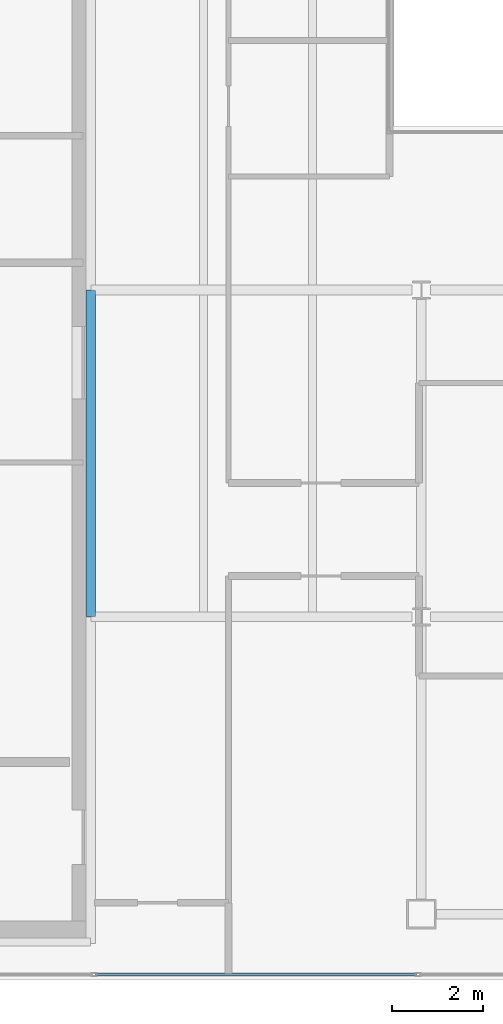
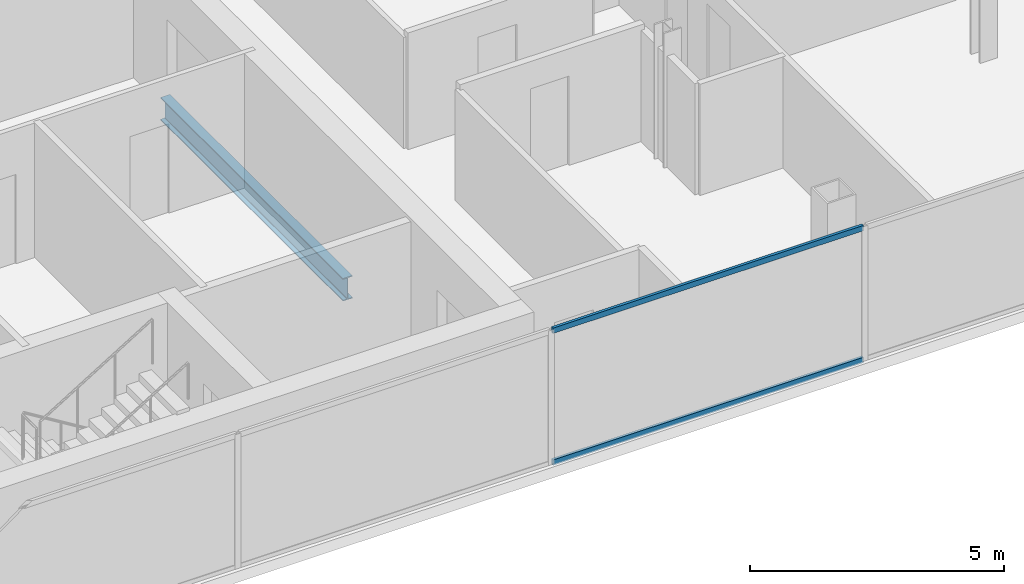
# One storey, part 4 of 23: 2 members, 1 beam, 1 element without a shape of its own.
"""IFC4 building model written with IfcOpenShell, lengths in metres."""

from ifc_helpers import new_model, si_unit, direction, frame, origin, origin_2d, place, context, subcontext, project, spatial, hollow_rectangle, i_section, extrude, material, material_profile, profile_set, type_object, element, aggregate, save


model = new_model("IFC4")

# Units and contexts
model_context = context("Model", 3, precision=1e-05, world=origin(), true_north=direction((0.0, 1.0)))
body_context = subcontext(model_context, "Body", "Model", "MODEL_VIEW")
ifc_project = project(units=[si_unit("LENGTHUNIT", "METRE"), si_unit("AREAUNIT", "SQUARE_METRE"), si_unit("VOLUMEUNIT", "CUBIC_METRE"), si_unit("PLANEANGLEUNIT", "RADIAN"), si_unit("MASSUNIT", "GRAM", prefix="KILO")], contexts=[model_context])

# Site, building, storey
site_placement = place(None, origin())
site = spatial("IfcSite", under=ifc_project, at=site_placement, CompositionType="ELEMENT")
building_placement = place(site_placement, origin())
building = spatial("IfcBuilding", under=site, at=building_placement, Name="Cobrela Telecom Tower", CompositionType="ELEMENT")
storey_placement = place(building_placement, frame((0.0, 0.0, 255.14990234375)))
storey = spatial("IfcBuildingStorey", under=building, at=storey_placement, Name="L66", CompositionType="ELEMENT", Elevation=255.14990234375)

# Beam
ifc_material_1 = material(Name="Steel ASTM A992 Grade 50", Category="steel")
ifc_material_profile_1 = material_profile(ifc_material_1, i_section(OverallWidth=0.212890625, OverallDepth=0.549072265625, WebThickness=0.0146484375, FlangeThickness=0.023681640625, FilletRadius=0.013916015625, at=origin_2d()), Name="W21X93")
ifc_profile_set_1 = profile_set([ifc_material_profile_1], Name="Steel ASTM A992 Grade 50")
beam_type = type_object("IfcBeamType", Name="BM-GIRD-08", PredefinedType="USERDEFINED", material=ifc_profile_set_1)
beam_placement = place(storey_placement, frame((14.320068359375, 14.405029296875, -0.534423828125), z_axis=(0.0, 1.0, 0.0), x_axis=(-1.0, 0.0, 0.0)))
element("IfcBeam", 1, at=beam_placement, inside=storey, type_object=beam_type, Name="L66 Primary Girder Y22", ObjectType="GIRDER", PredefinedType="USERDEFINED", context=body_context, shape_type="SweptSolid", body=[
    extrude(i_section(OverallWidth=0.212890625, OverallDepth=0.549072265625, WebThickness=0.0146484375, FlangeThickness=0.023681640625, FilletRadius=0.013916015625, at=origin_2d()), origin(), (0.0, 0.0, 1.0), 7.18994140625),
])

# Curtain wall, members
ifc_material_2 = material(Name="Anodized Bronze Aluminium 6063-T6", Category="aluminium")
curtain_wall_type = type_object("IfcCurtainWallType", Name="CW-SYS-OFF-HI", PredefinedType="USERDEFINED", material=ifc_material_2)
curtain_wall_placement = place(storey_placement, origin())
curtain_wall = element("IfcCurtainWall", 2, at=curtain_wall_placement, inside=storey, type_object=curtain_wall_type, Name="L66 Unitised Bronze Curtain Wall 15", ObjectType="UNITISED CURTAIN WALL", PredefinedType="USERDEFINED")
ifc_material_profile_2 = material_profile(ifc_material_2, hollow_rectangle(XDim=0.06494140625, YDim=0.1298828125, WallThickness=0.00390625, at=origin_2d()), Name="ALU 65x130x4")
ifc_profile_set_2 = profile_set([ifc_material_profile_2], Name="Anodized Bronze Aluminium 6063-T6")
member_type = type_object("IfcMemberType", Name="CW-SYS-OFF-HI-TRN", PredefinedType="USERDEFINED", material=ifc_profile_set_2)
member_1_placement = place(storey_placement, frame((21.489990234375, 6.52001953125, 0.03271484375), z_axis=(-1.0, 0.0, 0.0), x_axis=(0.0, -1.0, 0.0)))
member_1 = element("IfcMember", 3, at=member_1_placement, type_object=member_type, Name="CW-OFF-HI transom 4.1", ObjectType="TRANSOM", PredefinedType="USERDEFINED", context=body_context, shape_type="SweptSolid", body=[
    extrude(hollow_rectangle(XDim=0.06494140625, YDim=0.1298828125, WallThickness=0.00390625, at=origin_2d()), origin(), (0.0, 0.0, 1.0), 7.06494140625),
])
member_2_placement = place(storey_placement, frame((21.489990234375, 6.52001953125, 3.20751953125), z_axis=(-1.0, 0.0, 0.0), x_axis=(0.0, -1.0, 0.0)))
member_2 = element("IfcMember", 4, at=member_2_placement, type_object=member_type, Name="CW-OFF-HI transom 4.2", ObjectType="TRANSOM", PredefinedType="USERDEFINED", context=body_context, shape_type="SweptSolid", body=[
    extrude(hollow_rectangle(XDim=0.06494140625, YDim=0.1298828125, WallThickness=0.00390625, at=origin_2d()), origin(), (0.0, 0.0, 1.0), 7.06494140625),
])
aggregate(curtain_wall, [member_1, member_2])

save(model, "model.ifc")
